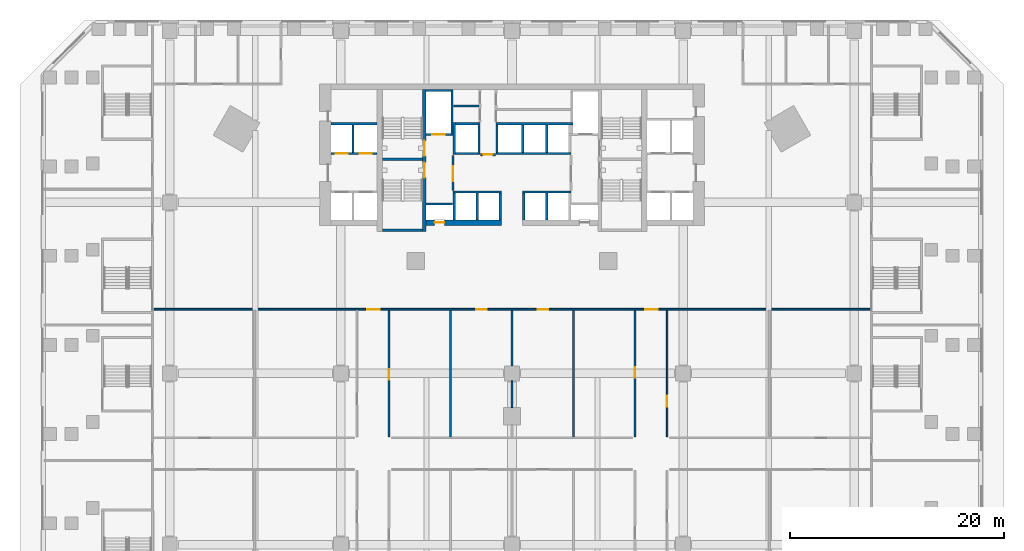
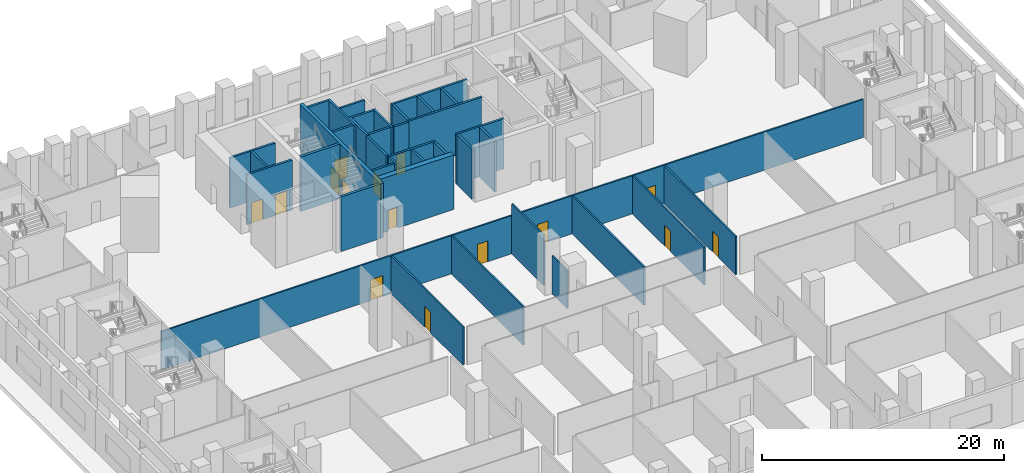
# One storey, part 7 of 22: 38 walls, 15 doors, 15 openings.
"""IFC4 building model written with IfcOpenShell, lengths in metres."""

from ifc_helpers import new_model, si_unit, direction, frame, frame_2d, origin, place, context, subcontext, project, spatial, rectangle, extrude, material, layer, layer_set, type_object, element, fill, save


model = new_model("IFC4")

# Units and contexts
model_context = context("Model", 3, precision=1e-05, world=origin(), true_north=direction((0.0, 1.0)))
body_context = subcontext(model_context, "Body", "Model", "MODEL_VIEW")
ifc_project = project(units=[si_unit("LENGTHUNIT", "METRE"), si_unit("AREAUNIT", "SQUARE_METRE"), si_unit("VOLUMEUNIT", "CUBIC_METRE"), si_unit("PLANEANGLEUNIT", "RADIAN"), si_unit("MASSUNIT", "GRAM", prefix="KILO")], contexts=[model_context])

# Site, building, storey
site_placement = place(None, origin())
site = spatial("IfcSite", under=ifc_project, at=site_placement, CompositionType="ELEMENT")
building_placement = place(site_placement, origin())
building = spatial("IfcBuilding", under=site, at=building_placement, Name="Calabash Gate Tower", CompositionType="ELEMENT")
storey_placement = place(building_placement, frame((0.0, 0.0, 29.0)))
storey = spatial("IfcBuildingStorey", under=building, at=storey_placement, Name="L03", CompositionType="ELEMENT", Elevation=29.0)

# Walls
ifc_material_1 = material(Name="Concrete C80/95", Category="concrete")
ifc_layer_1 = layer(ifc_material_1, 0.25)
ifc_layer_set_1 = layer_set([ifc_layer_1], Name="Core wall 250 Concrete C80/95")
wall_type_1 = type_object("IfcWallType", Name="Core wall 250 Concrete C80/95", PredefinedType="SHEAR", material=ifc_layer_set_1)
for number, where, z_axis, x_axis, name in (
    (1, (-12.10009765625, 12.027587890625, 0.0), (0.0, 0.0, 1.0), (1.0, 0.0, 0.0), "Core wall Z0-MIDW L03"),
    (2, (-12.10009765625, 5.377685546875, 0.0), (0.0, 0.0, 1.0), (1.0, 0.0, 0.0), "Core wall Z0-SSW L03"),
):
    element("IfcWall", number, at=place(storey_placement, frame(where, z_axis=z_axis, x_axis=x_axis)), inside=storey, type_object=wall_type_1, Name=name, PredefinedType="SHEAR", context=body_context, shape_type="SweptSolid", body=[
        extrude(rectangle(XDim=3.75, YDim=0.25, at=frame_2d((1.875, 0.0))), origin(), (0.0, 0.0, 1.0), 5.5),
    ])

# Wall, openings, doors
ifc_material_2 = material(Name="Concrete C80/95", Category="concrete")
ifc_layer_2 = layer(ifc_material_2, 0.300048828125)
ifc_layer_set_2 = layer_set([ifc_layer_2], Name="Core wall 300 Concrete C80/95")
wall_type_2 = type_object("IfcWallType", Name="Core wall 300 Concrete C80/95", PredefinedType="SHEAR", material=ifc_layer_set_2)
wall_1_placement = place(storey_placement, frame((-8.199951171875, 5.252685546875, 0.0), z_axis=(0.0, 0.0, 1.0), x_axis=(0.0, 1.0, 0.0)))
wall_1 = element("IfcWall", 3, at=wall_1_placement, inside=storey, type_object=wall_type_2, Name="Core wall Z0-PARTW L03", PredefinedType="SHEAR", context=body_context, shape_type="SweptSolid", body=[
    extrude(rectangle(XDim=13.2998046875, YDim=0.300048828125, at=frame_2d((6.64990234375, 0.0))), origin(), (0.0, 0.0, 1.0), 5.5),
])
opening_1_placement = place(wall_1_placement, frame((7.10009765625, 0.0, 0.0)))
opening_1 = element("IfcOpeningElement", 4, at=opening_1_placement, cuts=wall_1, Name="Opening L03-001", PredefinedType="OPENING", context=body_context, shape_type="SweptSolid", body=[
    extrude(rectangle(XDim=1.39990234375, YDim=2.10009765625, at=frame_2d((0.699951171875, 1.050048828125))), frame((0.0, 0.159912109375, 0.0), z_axis=(0.0, -1.0, 0.0), x_axis=(1.0, 0.0, 0.0)), (0.0, 0.0, 1.0), 0.320068359375),
])
opening_2_placement = place(wall_1_placement, frame((5.050048828125, 0.0, 0.0)))
opening_2 = element("IfcOpeningElement", 5, at=opening_2_placement, cuts=wall_1, Name="Opening L03-002", PredefinedType="OPENING", context=body_context, shape_type="SweptSolid", body=[
    extrude(rectangle(XDim=1.39990234375, YDim=2.10009765625, at=frame_2d((0.699951171875, 1.050048828125))), frame((0.0, 0.159912109375, 0.0), z_axis=(0.0, -1.0, 0.0), x_axis=(1.0, 0.0, 0.0)), (0.0, 0.0, 1.0), 0.320068359375),
])
ifc_material_3 = material(Name="Steel fire door set with fire-resisting glazing", Category="steel")
door_type_1 = type_object("IfcDoorType", Name="Fire door D05 1400x2100 FD90", OperationType="NOTDEFINED", PredefinedType="DOOR", material=ifc_material_3)
door_1_placement = place(opening_1_placement, origin())
door_1 = element("IfcDoor", 6, at=door_1_placement, inside=storey, type_object=door_type_1, Name="Exit stair door ST1", OperationType="SINGLE_SWING_LEFT", OverallHeight=2.10009765625, OverallWidth=1.39990234375, PredefinedType="DOOR", context=body_context, shape_type="SweptSolid", body=[
    extrude(rectangle(XDim=1.39990234375, YDim=2.10009765625, at=frame_2d((0.699951171875, 1.050048828125))), frame((0.0, 0.02490234375, 0.0), z_axis=(0.0, -1.0, 0.0), x_axis=(1.0, 0.0, 0.0)), (0.0, 0.0, 1.0), 0.050048828125),
])
fill(opening_1, door_1)
door_2_placement = place(opening_2_placement, origin())
door_2 = element("IfcDoor", 7, at=door_2_placement, inside=storey, type_object=door_type_1, Name="Exit stair door ST2", OperationType="SINGLE_SWING_LEFT", OverallHeight=2.10009765625, OverallWidth=1.39990234375, PredefinedType="DOOR", context=body_context, shape_type="SweptSolid", body=[
    extrude(rectangle(XDim=1.39990234375, YDim=2.10009765625, at=frame_2d((0.699951171875, 1.050048828125))), frame((0.0, 0.02490234375, 0.0), z_axis=(0.0, -1.0, 0.0), x_axis=(1.0, 0.0, 0.0)), (0.0, 0.0, 1.0), 0.050048828125),
])
fill(opening_2, door_2)

# Wall, opening, door
ifc_material_4 = material(Name="Concrete C80/95", Category="concrete")
ifc_layer_3 = layer(ifc_material_4, 0.5)
ifc_layer_set_3 = layer_set([ifc_layer_3], Name="Core wall 500 Concrete C80/95")
wall_type_3 = type_object("IfcWallType", Name="Core wall 500 Concrete C80/95", PredefinedType="SHEAR", material=ifc_layer_set_3)
wall_2_placement = place(storey_placement, frame((-8.050048828125, 6.1025390625, 0.0), z_axis=(0.0, 0.0, 1.0), x_axis=(1.0, 0.0, 0.0)))
wall_2 = element("IfcWall", 8, at=wall_2_placement, inside=storey, type_object=wall_type_3, Name="Core wall Z0-SA L03", PredefinedType="SHEAR", context=body_context, shape_type="SweptSolid", body=[
    extrude(rectangle(XDim=7.050048828125, YDim=0.5, at=frame_2d((3.52490234375, 0.0))), origin(), (0.0, 0.0, 1.0), 5.5),
])
opening_3_placement = place(wall_2_placement, frame((0.824951171875, 0.0, 0.0)))
opening_3 = element("IfcOpeningElement", 9, at=opening_3_placement, cuts=wall_2, Name="Opening L03-012", PredefinedType="OPENING", context=body_context, shape_type="SweptSolid", body=[
    extrude(rectangle(XDim=0.89990234375, YDim=2.10009765625, at=frame_2d((0.449951171875, 1.050048828125))), frame((0.0, 0.260009765625, 0.0), z_axis=(0.0, -1.0, 0.0), x_axis=(1.0, 0.0, 0.0)), (0.0, 0.0, 1.0), 0.52001953125),
])
ifc_material_5 = material(Name="Steel fire door set with fire-resisting glazing", Category="steel")
door_type_2 = type_object("IfcDoorType", Name="Fire door D07 900x2100 FD90", OperationType="NOTDEFINED", PredefinedType="DOOR", material=ifc_material_5)
door_3_placement = place(opening_3_placement, origin())
door_3 = element("IfcDoor", 10, at=door_3_placement, inside=storey, type_object=door_type_2, Name="Electrical Riser W door", OperationType="SINGLE_SWING_LEFT", OverallHeight=2.10009765625, OverallWidth=0.89990234375, PredefinedType="DOOR", context=body_context, shape_type="SweptSolid", body=[
    extrude(rectangle(XDim=0.89990234375, YDim=2.10009765625, at=frame_2d((0.449951171875, 1.050048828125))), frame((0.0, 0.02490234375, 0.0), z_axis=(0.0, -1.0, 0.0), x_axis=(1.0, 0.0, 0.0)), (0.0, 0.0, 1.0), 0.050048828125),
])
fill(opening_3, door_3)

ifc_material_6 = material(Name="Gypsum board on steel studs, mineral wool", Category="steel")
ifc_layer_4 = layer(ifc_material_6, 0.14990234375)
ifc_layer_set_4 = layer_set([ifc_layer_4], Name="Partition 150 gypsum board")
wall_type_4 = type_object("IfcWallType", Name="Partition 150 gypsum board", PredefinedType="PARTITIONING", material=ifc_layer_set_4)
wall_3_placement = place(storey_placement, frame((-11.5, -13.925048828125, 0.0), z_axis=(0.0, 0.0, 1.0), x_axis=(0.0, 1.0, 0.0)))
wall_3 = element("IfcWall", 11, at=wall_3_placement, inside=storey, type_object=wall_type_4, Name="Partition", PredefinedType="PARTITIONING", context=body_context, shape_type="SweptSolid", body=[
    extrude(rectangle(XDim=11.85009765625, YDim=0.14990234375, at=frame_2d((5.925048828125, 0.0))), origin(), (0.0, 0.0, 1.0), 3.85009765625),
])
opening_4_placement = place(wall_3_placement, frame((5.324951171875, 0.0, 0.0)))
opening_4 = element("IfcOpeningElement", 12, at=opening_4_placement, cuts=wall_3, Name="Opening L03-048", PredefinedType="OPENING", context=body_context, shape_type="SweptSolid", body=[
    extrude(rectangle(XDim=1.0, YDim=2.10009765625, at=frame_2d((0.5, 1.050048828125))), frame((0.0, 0.0849609375, 0.0), z_axis=(0.0, -1.0, 0.0), x_axis=(1.0, 0.0, 0.0)), (0.0, 0.0, 1.0), 0.169921875),
])
ifc_material_7 = material(Name="Steel fire door set with fire-resisting glazing", Category="steel")
door_type_3 = type_object("IfcDoorType", Name="Fire door D11 1000x2100 FD60", OperationType="NOTDEFINED", PredefinedType="DOOR", material=ifc_material_7)
door_4_placement = place(opening_4_placement, origin())
door_4 = element("IfcDoor", 13, at=door_4_placement, inside=storey, type_object=door_type_3, Name="Meeting Room 303 door", OperationType="SINGLE_SWING_LEFT", OverallHeight=2.10009765625, OverallWidth=1.0, PredefinedType="DOOR", context=body_context, shape_type="SweptSolid", body=[
    extrude(rectangle(XDim=1.0, YDim=2.10009765625, at=frame_2d((0.5, 1.050048828125))), frame((0.0, 0.02490234375, 0.0), z_axis=(0.0, -1.0, 0.0), x_axis=(1.0, 0.0, 0.0)), (0.0, 0.0, 1.0), 0.050048828125),
])
fill(opening_4, door_4)

# Walls
for number, where, z_axis, x_axis, name in (
    (14, (-5.75, -13.925048828125, 0.0), (0.0, 0.0, 1.0), (0.0, 1.0, 0.0), "Partition"),
    (15, (5.75, -13.925048828125, 0.0), (0.0, 0.0, 1.0), (0.0, 1.0, 0.0), "Partition"),
):
    element("IfcWall", number, at=place(storey_placement, frame(where, z_axis=z_axis, x_axis=x_axis)), inside=storey, type_object=wall_type_4, Name=name, PredefinedType="PARTITIONING", context=body_context, shape_type="SweptSolid", body=[
        extrude(rectangle(XDim=11.85009765625, YDim=0.14990234375, at=frame_2d((5.925048828125, 0.0))), origin(), (0.0, 0.0, 1.0), 3.85009765625),
    ])

# Wall, opening, door
wall_4_placement = place(storey_placement, frame((11.5, -13.925048828125, 0.0), z_axis=(0.0, 0.0, 1.0), x_axis=(0.0, 1.0, 0.0)))
wall_4 = element("IfcWall", 16, at=wall_4_placement, inside=storey, type_object=wall_type_4, Name="Partition", PredefinedType="PARTITIONING", context=body_context, shape_type="SweptSolid", body=[
    extrude(rectangle(XDim=11.85009765625, YDim=0.14990234375, at=frame_2d((5.925048828125, 0.0))), origin(), (0.0, 0.0, 1.0), 3.85009765625),
])
opening_5_placement = place(wall_4_placement, frame((5.52490234375, 0.0, 0.0)))
opening_5 = element("IfcOpeningElement", 17, at=opening_5_placement, cuts=wall_4, Name="Opening L03-051", PredefinedType="OPENING", context=body_context, shape_type="SweptSolid", body=[
    extrude(rectangle(XDim=1.0, YDim=2.10009765625, at=frame_2d((0.5, 1.050048828125))), frame((0.0, 0.0849609375, 0.0), z_axis=(0.0, -1.0, 0.0), x_axis=(1.0, 0.0, 0.0)), (0.0, 0.0, 1.0), 0.169921875),
])
door_5_placement = place(opening_5_placement, origin())
door_5 = element("IfcDoor", 18, at=door_5_placement, inside=storey, type_object=door_type_3, Name="Meeting Room 306 door", OperationType="SINGLE_SWING_RIGHT", OverallHeight=2.10009765625, OverallWidth=1.0, PredefinedType="DOOR", context=body_context, shape_type="SweptSolid", body=[
    extrude(rectangle(XDim=1.0, YDim=2.10009765625, at=frame_2d((0.5, 1.050048828125))), frame((0.0, 0.02490234375, 0.0), z_axis=(0.0, -1.0, 0.0), x_axis=(1.0, 0.0, 0.0)), (0.0, 0.0, 1.0), 0.050048828125),
])
fill(opening_5, door_5)

wall_5_placement = place(storey_placement, frame((14.5, -13.925048828125, 0.0), z_axis=(0.0, 0.0, 1.0), x_axis=(0.0, 1.0, 0.0)))
wall_5 = element("IfcWall", 19, at=wall_5_placement, inside=storey, type_object=wall_type_4, Name="Partition", PredefinedType="PARTITIONING", context=body_context, shape_type="SweptSolid", body=[
    extrude(rectangle(XDim=11.85009765625, YDim=0.14990234375, at=frame_2d((5.925048828125, 0.0))), origin(), (0.0, 0.0, 1.0), 3.85009765625),
])
opening_6_placement = place(wall_5_placement, frame((2.824951171875, 0.0, 0.0)))
opening_6 = element("IfcOpeningElement", 20, at=opening_6_placement, cuts=wall_5, Name="Opening L03-052", PredefinedType="OPENING", context=body_context, shape_type="SweptSolid", body=[
    extrude(rectangle(XDim=1.0, YDim=2.10009765625, at=frame_2d((0.5, 1.050048828125))), frame((0.0, 0.0849609375, 0.0), z_axis=(0.0, -1.0, 0.0), x_axis=(1.0, 0.0, 0.0)), (0.0, 0.0, 1.0), 0.169921875),
])
door_6_placement = place(opening_6_placement, origin())
door_6 = element("IfcDoor", 21, at=door_6_placement, inside=storey, type_object=door_type_3, Name="Meeting Room 307 door", OperationType="SINGLE_SWING_LEFT", OverallHeight=2.10009765625, OverallWidth=1.0, PredefinedType="DOOR", context=body_context, shape_type="SweptSolid", body=[
    extrude(rectangle(XDim=1.0, YDim=2.10009765625, at=frame_2d((0.5, 1.050048828125))), frame((0.0, 0.02490234375, 0.0), z_axis=(0.0, -1.0, 0.0), x_axis=(1.0, 0.0, 0.0)), (0.0, 0.0, 1.0), 0.050048828125),
])
fill(opening_6, door_6)

# Walls
wall_6_placement = place(storey_placement, frame((0.0, -11.199951171875, 0.0), z_axis=(0.0, 0.0, 1.0), x_axis=(0.0, 1.0, 0.0)))
element("IfcWall", 22, at=wall_6_placement, inside=storey, type_object=wall_type_4, Name="Partition", PredefinedType="PARTITIONING", context=body_context, shape_type="SweptSolid", body=[
    extrude(rectangle(XDim=2.5, YDim=0.14990234375, at=frame_2d((1.25, 0.0))), origin(), (0.0, 0.0, 1.0), 3.85009765625),
])
wall_7_placement = place(storey_placement, frame((0.0, -7.300048828125, 0.0), z_axis=(0.0, 0.0, 1.0), x_axis=(0.0, 1.0, 0.0)))
element("IfcWall", 23, at=wall_7_placement, inside=storey, type_object=wall_type_4, Name="Partition", PredefinedType="PARTITIONING", context=body_context, shape_type="SweptSolid", body=[
    extrude(rectangle(XDim=5.22509765625, YDim=0.14990234375, at=frame_2d((2.612548828125, 0.0))), origin(), (0.0, 0.0, 1.0), 5.050048828125),
])

# Wall, openings, doors
wall_8_placement = place(storey_placement, frame((-33.4599609375, -2.0, 0.0), z_axis=(0.0, 0.0, 1.0), x_axis=(1.0, 0.0, 0.0)))
wall_8 = element("IfcWall", 24, at=wall_8_placement, inside=storey, type_object=wall_type_4, Name="Partition", PredefinedType="PARTITIONING", context=body_context, shape_type="SweptSolid", body=[
    extrude(rectangle(XDim=66.919921875, YDim=0.14990234375, at=frame_2d((33.4599609375, 0.0))), origin(), (0.0, 0.0, 1.0), 3.85009765625),
])
opening_7_placement = place(wall_8_placement, frame((19.909912109375, 0.0, 0.0)))
opening_7 = element("IfcOpeningElement", 25, at=opening_7_placement, cuts=wall_8, Name="Opening L03-044", PredefinedType="OPENING", context=body_context, shape_type="SweptSolid", body=[
    extrude(rectangle(XDim=1.199951171875, YDim=2.10009765625, at=frame_2d((0.60009765625, 1.050048828125))), frame((0.0, 0.0849609375, 0.0), z_axis=(0.0, -1.0, 0.0), x_axis=(1.0, 0.0, 0.0)), (0.0, 0.0, 1.0), 0.169921875),
])
opening_8_placement = place(wall_8_placement, frame((45.909912109375, 0.0, 0.0)))
opening_8 = element("IfcOpeningElement", 26, at=opening_8_placement, cuts=wall_8, Name="Opening L03-045", PredefinedType="OPENING", context=body_context, shape_type="SweptSolid", body=[
    extrude(rectangle(XDim=1.199951171875, YDim=2.10009765625, at=frame_2d((0.60009765625, 1.050048828125))), frame((0.0, 0.0849609375, 0.0), z_axis=(0.0, -1.0, 0.0), x_axis=(1.0, 0.0, 0.0)), (0.0, 0.0, 1.0), 0.169921875),
])
opening_9_placement = place(wall_8_placement, frame((30.110107421875, 0.0, 0.0)))
opening_9 = element("IfcOpeningElement", 27, at=opening_9_placement, cuts=wall_8, Name="Opening L03-049", PredefinedType="OPENING", context=body_context, shape_type="SweptSolid", body=[
    extrude(rectangle(XDim=1.0, YDim=2.10009765625, at=frame_2d((0.5, 1.050048828125))), frame((0.0, 0.0849609375, 0.0), z_axis=(0.0, -1.0, 0.0), x_axis=(1.0, 0.0, 0.0)), (0.0, 0.0, 1.0), 0.169921875),
])
opening_10_placement = place(wall_8_placement, frame((35.860107421875, 0.0, 0.0)))
opening_10 = element("IfcOpeningElement", 28, at=opening_10_placement, cuts=wall_8, Name="Opening L03-050", PredefinedType="OPENING", context=body_context, shape_type="SweptSolid", body=[
    extrude(rectangle(XDim=1.0, YDim=2.10009765625, at=frame_2d((0.5, 1.050048828125))), frame((0.0, 0.0849609375, 0.0), z_axis=(0.0, -1.0, 0.0), x_axis=(1.0, 0.0, 0.0)), (0.0, 0.0, 1.0), 0.169921875),
])
ifc_material_8 = material(Name="Steel fire door set with fire-resisting glazing", Category="steel")
door_type_4 = type_object("IfcDoorType", Name="Fire door D09 1200x2100 FD60", OperationType="NOTDEFINED", PredefinedType="DOOR", material=ifc_material_8)
door_7_placement = place(opening_7_placement, origin())
door_7 = element("IfcDoor", 29, at=door_7_placement, inside=storey, type_object=door_type_4, Name="Meeting Link door", OperationType="SINGLE_SWING_RIGHT", OverallHeight=2.10009765625, OverallWidth=1.199951171875, PredefinedType="DOOR", context=body_context, shape_type="SweptSolid", body=[
    extrude(rectangle(XDim=1.199951171875, YDim=2.10009765625, at=frame_2d((0.60009765625, 1.050048828125))), frame((0.0, 0.02490234375, 0.0), z_axis=(0.0, -1.0, 0.0), x_axis=(1.0, 0.0, 0.0)), (0.0, 0.0, 1.0), 0.050048828125),
])
fill(opening_7, door_7)
door_8_placement = place(opening_8_placement, origin())
door_8 = element("IfcDoor", 30, at=door_8_placement, inside=storey, type_object=door_type_4, Name="Meeting Link door", OperationType="SINGLE_SWING_RIGHT", OverallHeight=2.10009765625, OverallWidth=1.199951171875, PredefinedType="DOOR", context=body_context, shape_type="SweptSolid", body=[
    extrude(rectangle(XDim=1.199951171875, YDim=2.10009765625, at=frame_2d((0.60009765625, 1.050048828125))), frame((0.0, 0.02490234375, 0.0), z_axis=(0.0, -1.0, 0.0), x_axis=(1.0, 0.0, 0.0)), (0.0, 0.0, 1.0), 0.050048828125),
])
fill(opening_8, door_8)
door_9_placement = place(opening_9_placement, origin())
door_9 = element("IfcDoor", 31, at=door_9_placement, inside=storey, type_object=door_type_3, Name="Meeting Room 304 door", OperationType="SINGLE_SWING_RIGHT", OverallHeight=2.10009765625, OverallWidth=1.0, PredefinedType="DOOR", context=body_context, shape_type="SweptSolid", body=[
    extrude(rectangle(XDim=1.0, YDim=2.10009765625, at=frame_2d((0.5, 1.050048828125))), frame((0.0, 0.02490234375, 0.0), z_axis=(0.0, -1.0, 0.0), x_axis=(1.0, 0.0, 0.0)), (0.0, 0.0, 1.0), 0.050048828125),
])
fill(opening_9, door_9)
door_10_placement = place(opening_10_placement, origin())
door_10 = element("IfcDoor", 32, at=door_10_placement, inside=storey, type_object=door_type_3, Name="Meeting Room 305 door", OperationType="SINGLE_SWING_LEFT", OverallHeight=2.10009765625, OverallWidth=1.0, PredefinedType="DOOR", context=body_context, shape_type="SweptSolid", body=[
    extrude(rectangle(XDim=1.0, YDim=2.10009765625, at=frame_2d((0.5, 1.050048828125))), frame((0.0, 0.02490234375, 0.0), z_axis=(0.0, -1.0, 0.0), x_axis=(1.0, 0.0, 0.0)), (0.0, 0.0, 1.0), 0.050048828125),
])
fill(opening_10, door_10)

# Walls
ifc_material_9 = material(Name="Concrete C40/50", Category="concrete")
ifc_layer_5 = layer(ifc_material_9, 0.199951171875)
ifc_layer_set_5 = layer_set([ifc_layer_5], Name="Shaft wall 200 Concrete C40/50")
wall_type_5 = type_object("IfcWallType", Name="Shaft wall 200 Concrete C40/50", PredefinedType="SOLIDWALL", material=ifc_layer_set_5)
for number, where, z_axis, x_axis, name in (
    (33, (-5.39990234375, 6.3525390625, 0.0), (0.0, 0.0, 1.0), (0.0, 1.0, 0.0), "Shaft wall"),
    (34, (-3.25, 6.3525390625, 0.0), (0.0, 0.0, 1.0), (0.0, 1.0, 0.0), "Shaft wall"),
    (35, (-1.10009765625, 6.3525390625, 0.0), (0.0, 0.0, 1.0), (0.0, 1.0, 0.0), "Shaft wall"),
    (36, (1.10009765625, 6.3525390625, 0.0), (0.0, 0.0, 1.0), (0.0, 1.0, 0.0), "Shaft wall"),
    (37, (3.25, 6.3525390625, 0.0), (0.0, 0.0, 1.0), (0.0, 1.0, 0.0), "Shaft wall"),
    (38, (-8.050048828125, 7.8525390625, 0.0), (0.0, 0.0, 1.0), (1.0, 0.0, 0.0), "Shaft wall"),
):
    element("IfcWall", number, at=place(storey_placement, frame(where, z_axis=z_axis, x_axis=x_axis)), inside=storey, type_object=wall_type_5, Name=name, PredefinedType="SOLIDWALL", context=body_context, shape_type="SweptSolid", body=[
        extrude(rectangle(XDim=2.5, YDim=0.199951171875, at=frame_2d((1.25, 0.0))), origin(), (0.0, 0.0, 1.0), 5.050048828125),
    ])
for number, where, z_axis, x_axis, name in (
    (39, (-5.5, 8.95263671875, 0.0), (0.0, 0.0, 1.0), (1.0, 0.0, 0.0), "Shaft wall"),
    (40, (1.0, 8.95263671875, 0.0), (0.0, 0.0, 1.0), (1.0, 0.0, 0.0), "Shaft wall"),
):
    element("IfcWall", number, at=place(storey_placement, frame(where, z_axis=z_axis, x_axis=x_axis)), inside=storey, type_object=wall_type_5, Name=name, PredefinedType="SOLIDWALL", context=body_context, shape_type="SweptSolid", body=[
        extrude(rectangle(XDim=4.5, YDim=0.199951171875, at=frame_2d((2.25, 0.0))), origin(), (0.0, 0.0, 1.0), 5.050048828125),
    ])

# Wall, opening, door
wall_9_placement = place(storey_placement, frame((-5.5, 9.1025390625, 0.0), z_axis=(0.0, 0.0, 1.0), x_axis=(0.0, 1.0, 0.0)))
wall_9 = element("IfcWall", 41, at=wall_9_placement, inside=storey, type_object=wall_type_5, Name="Shaft wall", PredefinedType="SOLIDWALL", context=body_context, shape_type="SweptSolid", body=[
    extrude(rectangle(XDim=3.300048828125, YDim=0.199951171875, at=frame_2d((1.64990234375, 0.0))), origin(), (0.0, 0.0, 1.0), 5.050048828125),
])
opening_11_placement = place(wall_9_placement, frame((0.85009765625, 0.0, 0.0)))
opening_11 = element("IfcOpeningElement", 42, at=opening_11_placement, cuts=wall_9, Name="Opening L03-006", PredefinedType="OPENING", context=body_context, shape_type="SweptSolid", body=[
    extrude(rectangle(XDim=1.39990234375, YDim=2.10009765625, at=frame_2d((0.699951171875, 1.050048828125))), frame((0.0, 0.10986328125, 0.0), z_axis=(0.0, -1.0, 0.0), x_axis=(1.0, 0.0, 0.0)), (0.0, 0.0, 1.0), 0.219970703125),
])
door_11_placement = place(opening_11_placement, origin())
door_11 = element("IfcDoor", 43, at=door_11_placement, inside=storey, type_object=door_type_1, Name="Firefighting Lobby W door", OperationType="SINGLE_SWING_RIGHT", OverallHeight=2.10009765625, OverallWidth=1.39990234375, PredefinedType="DOOR", context=body_context, shape_type="SweptSolid", body=[
    extrude(rectangle(XDim=1.39990234375, YDim=2.10009765625, at=frame_2d((0.699951171875, 1.050048828125))), frame((0.0, 0.02490234375, 0.0), z_axis=(0.0, -1.0, 0.0), x_axis=(1.0, 0.0, 0.0)), (0.0, 0.0, 1.0), 0.050048828125),
])
fill(opening_11, door_11)

wall_10_placement = place(storey_placement, frame((-2.949951171875, 12.45263671875, 0.0), z_axis=(0.0, 0.0, 1.0), x_axis=(1.0, 0.0, 0.0)))
wall_10 = element("IfcWall", 44, at=wall_10_placement, inside=storey, type_object=wall_type_5, Name="Shaft wall", PredefinedType="SOLIDWALL", context=body_context, shape_type="SweptSolid", body=[
    extrude(rectangle(XDim=1.39990234375, YDim=0.199951171875, at=frame_2d((0.699951171875, 0.0))), origin(), (0.0, 0.0, 1.0), 5.050048828125),
])
opening_12_placement = place(wall_10_placement, frame((0.25, 0.0, 0.0)))
opening_12 = element("IfcOpeningElement", 45, at=opening_12_placement, cuts=wall_10, Name="Opening L03-005", PredefinedType="OPENING", context=body_context, shape_type="SweptSolid", body=[
    extrude(rectangle(XDim=0.89990234375, YDim=2.10009765625, at=frame_2d((0.449951171875, 1.050048828125))), frame((0.0, 0.10986328125, 0.0), z_axis=(0.0, -1.0, 0.0), x_axis=(1.0, 0.0, 0.0)), (0.0, 0.0, 1.0), 0.219970703125),
])
ifc_material_10 = material(Name="Steel fire door set with fire-resisting glazing", Category="steel")
door_type_5 = type_object("IfcDoorType", Name="Fire door D06 900x2100 FD60", OperationType="NOTDEFINED", PredefinedType="DOOR", material=ifc_material_10)
door_12_placement = place(opening_12_placement, origin())
door_12 = element("IfcDoor", 46, at=door_12_placement, inside=storey, type_object=door_type_5, Name="Service Corridor door", OperationType="SINGLE_SWING_RIGHT", OverallHeight=2.10009765625, OverallWidth=0.89990234375, PredefinedType="DOOR", context=body_context, shape_type="SweptSolid", body=[
    extrude(rectangle(XDim=0.89990234375, YDim=2.10009765625, at=frame_2d((0.449951171875, 1.050048828125))), frame((0.0, 0.02490234375, 0.0), z_axis=(0.0, -1.0, 0.0), x_axis=(1.0, 0.0, 0.0)), (0.0, 0.0, 1.0), 0.050048828125),
])
fill(opening_12, door_12)

# Wall, openings, doors
wall_11_placement = place(storey_placement, frame((-16.89990234375, 12.552490234375, 0.0), z_axis=(0.0, 0.0, 1.0), x_axis=(1.0, 0.0, 0.0)))
wall_11 = element("IfcWall", 47, at=wall_11_placement, inside=storey, type_object=wall_type_5, Name="Shaft wall", PredefinedType="SOLIDWALL", context=body_context, shape_type="SweptSolid", body=[
    extrude(rectangle(XDim=4.2998046875, YDim=0.199951171875, at=frame_2d((2.14990234375, 0.0))), origin(), (0.0, 0.0, 1.0), 5.050048828125),
])
opening_13_placement = place(wall_11_placement, frame((2.675048828125, 0.0, 0.0)))
opening_13 = element("IfcOpeningElement", 48, at=opening_13_placement, cuts=wall_11, Name="Opening LD-LR3", PredefinedType="OPENING", context=body_context, shape_type="SweptSolid", body=[
    extrude(rectangle(XDim=1.10009765625, YDim=2.10009765625, at=frame_2d((0.550048828125, 1.050048828125))), frame((0.0, 0.10986328125, 0.0), z_axis=(0.0, -1.0, 0.0), x_axis=(1.0, 0.0, 0.0)), (0.0, 0.0, 1.0), 0.219970703125),
])
opening_14_placement = place(wall_11_placement, frame((0.425048828125, 0.0, 0.0)))
opening_14 = element("IfcOpeningElement", 49, at=opening_14_placement, cuts=wall_11, Name="Opening LD-LR4", PredefinedType="OPENING", context=body_context, shape_type="SweptSolid", body=[
    extrude(rectangle(XDim=1.10009765625, YDim=2.10009765625, at=frame_2d((0.550048828125, 1.050048828125))), frame((0.0, 0.10986328125, 0.0), z_axis=(0.0, -1.0, 0.0), x_axis=(1.0, 0.0, 0.0)), (0.0, 0.0, 1.0), 0.219970703125),
])
ifc_material_11 = material(Name="Stainless steel sliding door leaves", Category="steel")
door_type_6 = type_object("IfcDoorType", Name="Lift landing door LS1 1100x2100 FD90", OperationType="DOUBLE_DOOR_SLIDING", PredefinedType="DOOR", material=ifc_material_11)
door_13_placement = place(opening_13_placement, origin())
door_13 = element("IfcDoor", 50, at=door_13_placement, inside=storey, type_object=door_type_6, Name="Lift landing door LR3", OperationType="DOUBLE_DOOR_SLIDING", OverallHeight=2.10009765625, OverallWidth=1.10009765625, PredefinedType="DOOR", context=body_context, shape_type="SweptSolid", body=[
    extrude(rectangle(XDim=1.10009765625, YDim=2.10009765625, at=frame_2d((0.550048828125, 1.050048828125))), frame((0.0, 0.02490234375, 0.0), z_axis=(0.0, -1.0, 0.0), x_axis=(1.0, 0.0, 0.0)), (0.0, 0.0, 1.0), 0.050048828125),
])
fill(opening_13, door_13)
door_14_placement = place(opening_14_placement, origin())
door_14 = element("IfcDoor", 51, at=door_14_placement, inside=storey, type_object=door_type_6, Name="Lift landing door LR4", OperationType="DOUBLE_DOOR_SLIDING", OverallHeight=2.10009765625, OverallWidth=1.10009765625, PredefinedType="DOOR", context=body_context, shape_type="SweptSolid", body=[
    extrude(rectangle(XDim=1.10009765625, YDim=2.10009765625, at=frame_2d((0.550048828125, 1.050048828125))), frame((0.0, 0.02490234375, 0.0), z_axis=(0.0, -1.0, 0.0), x_axis=(1.0, 0.0, 0.0)), (0.0, 0.0, 1.0), 0.050048828125),
])
fill(opening_14, door_14)

# Walls
wall_12_placement = place(storey_placement, frame((-5.39990234375, 12.45263671875, 0.0), z_axis=(0.0, 0.0, 1.0), x_axis=(0.0, 1.0, 0.0)))
element("IfcWall", 52, at=wall_12_placement, inside=storey, type_object=wall_type_5, Name="Shaft wall", PredefinedType="SOLIDWALL", context=body_context, shape_type="SweptSolid", body=[
    extrude(rectangle(XDim=3.0, YDim=0.199951171875, at=frame_2d((1.5, 0.0))), origin(), (0.0, 0.0, 1.0), 5.050048828125),
])
wall_13_placement = place(storey_placement, frame((-5.300048828125, 12.552490234375, 0.0), z_axis=(0.0, 0.0, 1.0), x_axis=(1.0, 0.0, 0.0)))
element("IfcWall", 53, at=wall_13_placement, inside=storey, type_object=wall_type_5, Name="Shaft wall", PredefinedType="SOLIDWALL", context=body_context, shape_type="SweptSolid", body=[
    extrude(rectangle(XDim=2.10009765625, YDim=0.199951171875, at=frame_2d((1.050048828125, 0.0))), origin(), (0.0, 0.0, 1.0), 5.050048828125),
])
wall_14_placement = place(storey_placement, frame((-3.10009765625, 12.45263671875, 0.0), z_axis=(0.0, 0.0, 1.0), x_axis=(0.0, 1.0, 0.0)))
element("IfcWall", 54, at=wall_14_placement, inside=storey, type_object=wall_type_5, Name="Shaft wall", PredefinedType="SOLIDWALL", context=body_context, shape_type="SweptSolid", body=[
    extrude(rectangle(XDim=3.0, YDim=0.199951171875, at=frame_2d((1.5, 0.0))), origin(), (0.0, 0.0, 1.0), 5.050048828125),
])
wall_15_placement = place(storey_placement, frame((-1.5, 12.552490234375, 0.0), z_axis=(0.0, 0.0, 1.0), x_axis=(1.0, 0.0, 0.0)))
element("IfcWall", 55, at=wall_15_placement, inside=storey, type_object=wall_type_5, Name="Shaft wall", PredefinedType="SOLIDWALL", context=body_context, shape_type="SweptSolid", body=[
    extrude(rectangle(XDim=7.0, YDim=0.199951171875, at=frame_2d((3.5, 0.0))), origin(), (0.0, 0.0, 1.0), 5.050048828125),
])
for number, where, z_axis, x_axis, name in (
    (56, (-14.85009765625, 12.652587890625, 0.0), (0.0, 0.0, 1.0), (0.0, 1.0, 0.0), "Shaft wall"),
    (57, (-1.39990234375, 12.652587890625, 0.0), (0.0, 0.0, 1.0), (0.0, 1.0, 0.0), "Shaft wall"),
    (58, (1.0, 12.652587890625, 0.0), (0.0, 0.0, 1.0), (0.0, 1.0, 0.0), "Shaft wall"),
    (59, (3.25, 12.652587890625, 0.0), (0.0, 0.0, 1.0), (0.0, 1.0, 0.0), "Shaft wall"),
):
    element("IfcWall", number, at=place(storey_placement, frame(where, z_axis=z_axis, x_axis=x_axis)), inside=storey, type_object=wall_type_5, Name=name, PredefinedType="SOLIDWALL", context=body_context, shape_type="SweptSolid", body=[
        extrude(rectangle(XDim=2.60009765625, YDim=0.199951171875, at=frame_2d((1.300048828125, 0.0))), origin(), (0.0, 0.0, 1.0), 5.050048828125),
    ])

# Wall, opening, door
wall_16_placement = place(storey_placement, frame((-8.050048828125, 14.3525390625, 0.0), z_axis=(0.0, 0.0, 1.0), x_axis=(1.0, 0.0, 0.0)))
wall_16 = element("IfcWall", 60, at=wall_16_placement, inside=storey, type_object=wall_type_5, Name="Shaft wall", PredefinedType="SOLIDWALL", context=body_context, shape_type="SweptSolid", body=[
    extrude(rectangle(XDim=2.35009765625, YDim=0.199951171875, at=frame_2d((1.175048828125, 0.0))), origin(), (0.0, 0.0, 1.0), 5.050048828125),
])
opening_15_placement = place(wall_16_placement, frame((0.574951171875, 0.0, 0.0)))
opening_15 = element("IfcOpeningElement", 61, at=opening_15_placement, cuts=wall_16, Name="Opening LD-FF1", PredefinedType="OPENING", context=body_context, shape_type="SweptSolid", body=[
    extrude(rectangle(XDim=1.199951171875, YDim=2.10009765625, at=frame_2d((0.60009765625, 1.050048828125))), frame((0.0, 0.10986328125, 0.0), z_axis=(0.0, -1.0, 0.0), x_axis=(1.0, 0.0, 0.0)), (0.0, 0.0, 1.0), 0.219970703125),
])
ifc_material_12 = material(Name="Stainless steel sliding door leaves", Category="steel")
door_type_7 = type_object("IfcDoorType", Name="Lift landing door LS3 1200x2100 FD90", OperationType="DOUBLE_DOOR_SLIDING", PredefinedType="DOOR", material=ifc_material_12)
door_15_placement = place(opening_15_placement, origin())
door_15 = element("IfcDoor", 62, at=door_15_placement, inside=storey, type_object=door_type_7, Name="Lift landing door FF1", OperationType="DOUBLE_DOOR_SLIDING", OverallHeight=2.10009765625, OverallWidth=1.199951171875, PredefinedType="DOOR", context=body_context, shape_type="SweptSolid", body=[
    extrude(rectangle(XDim=1.199951171875, YDim=2.10009765625, at=frame_2d((0.60009765625, 1.050048828125))), frame((0.0, 0.02490234375, 0.0), z_axis=(0.0, -1.0, 0.0), x_axis=(1.0, 0.0, 0.0)), (0.0, 0.0, 1.0), 0.050048828125),
])
fill(opening_15, door_15)

# Walls
for number, where, z_axis, x_axis, name in (
    (63, (-5.60009765625, 14.252685546875, 0.0), (0.0, 0.0, 1.0), (0.0, 1.0, 0.0), "Shaft wall"),
    (64, (-16.89990234375, 15.3525390625, 0.0), (0.0, 0.0, 1.0), (1.0, 0.0, 0.0), "Shaft wall"),
):
    element("IfcWall", number, at=place(storey_placement, frame(where, z_axis=z_axis, x_axis=x_axis)), inside=storey, type_object=wall_type_5, Name=name, PredefinedType="SOLIDWALL", context=body_context, shape_type="SweptSolid", body=[
        extrude(rectangle(XDim=4.2998046875, YDim=0.199951171875, at=frame_2d((2.14990234375, 0.0))), origin(), (0.0, 0.0, 1.0), 5.050048828125),
    ])
wall_17_placement = place(storey_placement, frame((-5.300048828125, 15.3525390625, 0.0), z_axis=(0.0, 0.0, 1.0), x_axis=(1.0, 0.0, 0.0)))
element("IfcWall", 65, at=wall_17_placement, inside=storey, type_object=wall_type_5, Name="Shaft wall", PredefinedType="SOLIDWALL", context=body_context, shape_type="SweptSolid", body=[
    extrude(rectangle(XDim=2.10009765625, YDim=0.199951171875, at=frame_2d((1.050048828125, 0.0))), origin(), (0.0, 0.0, 1.0), 5.050048828125),
])
wall_18_placement = place(storey_placement, frame((-1.5, 15.3525390625, 0.0), z_axis=(0.0, 0.0, 1.0), x_axis=(1.0, 0.0, 0.0)))
element("IfcWall", 66, at=wall_18_placement, inside=storey, type_object=wall_type_5, Name="Shaft wall", PredefinedType="SOLIDWALL", context=body_context, shape_type="SweptSolid", body=[
    extrude(rectangle(XDim=7.199951171875, YDim=0.199951171875, at=frame_2d((3.60009765625, 0.0))), origin(), (0.0, 0.0, 1.0), 5.050048828125),
])
wall_19_placement = place(storey_placement, frame((-5.449951171875, 17.002685546875, 0.0), z_axis=(0.0, 0.0, 1.0), x_axis=(1.0, 0.0, 0.0)))
element("IfcWall", 67, at=wall_19_placement, inside=storey, type_object=wall_type_5, Name="Shaft wall", PredefinedType="SOLIDWALL", context=body_context, shape_type="SweptSolid", body=[
    extrude(rectangle(XDim=2.349853515625, YDim=0.199951171875, at=frame_2d((1.1748046875, 0.0))), origin(), (0.0, 0.0, 1.0), 5.050048828125),
])
wall_20_placement = place(storey_placement, frame((-8.050048828125, 18.45263671875, 0.0), z_axis=(0.0, 0.0, 1.0), x_axis=(1.0, 0.0, 0.0)))
element("IfcWall", 68, at=wall_20_placement, inside=storey, type_object=wall_type_5, Name="Shaft wall", PredefinedType="SOLIDWALL", context=body_context, shape_type="SweptSolid", body=[
    extrude(rectangle(XDim=2.35009765625, YDim=0.199951171875, at=frame_2d((1.175048828125, 0.0))), origin(), (0.0, 0.0, 1.0), 5.050048828125),
])

save(model, "model.ifc")
